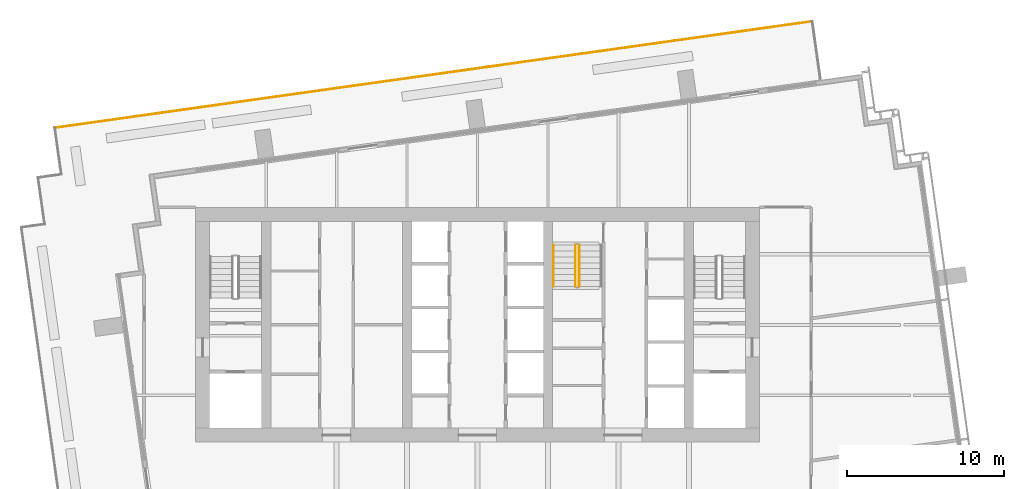
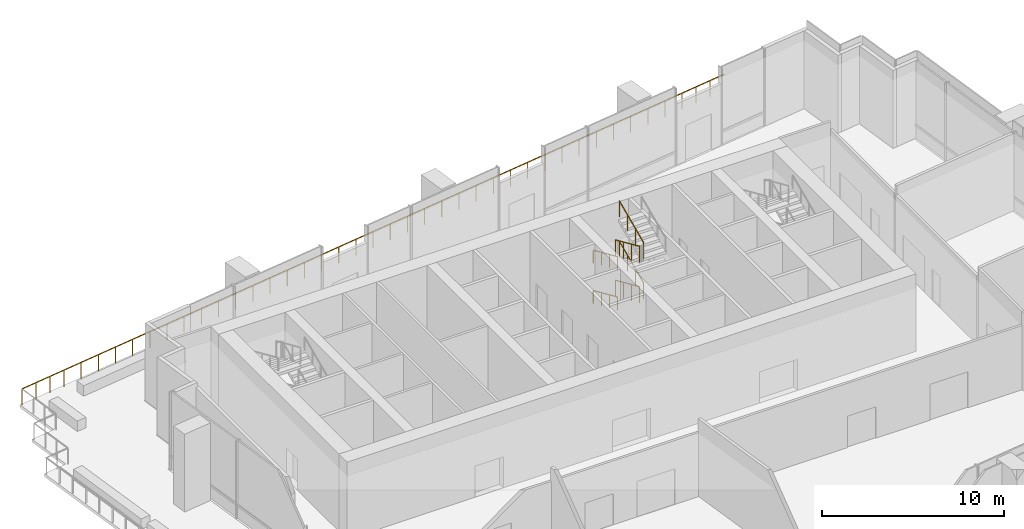
# One storey, part 15 of 18: 7 railings.
"""IFC4 building model written with IfcOpenShell, lengths in metres."""

import ifcopenshell
import ifcopenshell.guid

model = None  # the IFC model being written
_history = None  # IfcOwnerHistory: only IFC2X3 demands one
_inside = {}  # id of a spatial element -> (the spatial element, [elements in it])
_under = {}  # id of a project, library or spatial element -> (it, [spatial elements below it])
_declared = {}  # id of a project -> (the project, [libraries it declares])
_typed = {}  # id of a type object -> (the type object, [elements of that type])
_made_of = {}  # id of a material, layer set ... -> (it, [elements and type objects made of it])


def new_model(schema):
    """Start an empty IFC model of exactly this schema.

    Asked for "IFC4X3", IfcOpenShell would pick the latest addendum, in which some entities
    have other attributes; the version numbers below select the first issue.
    IFC2X3 requires an IfcOwnerHistory on every rooted entity: one is made here for all.
    """
    global model, _history
    if schema == "IFC4X3":
        model = ifcopenshell.file(schema_version=(4, 3, 0, 0))
    else:
        model = ifcopenshell.file(schema=schema)
    _inside.clear()
    _under.clear()
    _declared.clear()
    _typed.clear()
    _made_of.clear()
    _history = None
    if model.schema == "IFC2X3":
        org = make("IfcOrganization", Name="unknown")
        user = make(
            "IfcPersonAndOrganization",
            ThePerson=make("IfcPerson", FamilyName="unknown"),
            TheOrganization=org,
        )
        app = make(
            "IfcApplication",
            ApplicationDeveloper=org,
            Version="unknown",
            ApplicationFullName="unknown",
            ApplicationIdentifier="unknown",
        )
        _history = make(
            "IfcOwnerHistory",
            OwningUser=user,
            OwningApplication=app,
            ChangeAction="ADDED",
            CreationDate=0,
        )
    return model


def make(cls, **values):
    """One entity of the class cls with the attributes given. An attribute that is None is left unset."""
    return model.create_entity(
        cls, **{name: value for name, value in values.items() if value is not None}
    )


def rooted(cls, **values):
    """An entity with a GlobalId (a new one), such as an element, a storey or a relation."""
    return make(cls, GlobalId=ifcopenshell.guid.new(), OwnerHistory=_history, **values)


def si_unit(unit_type, name, prefix=None):
    """IfcSIUnit, for example si_unit("LENGTHUNIT", "METRE", prefix="MILLI")."""
    return make("IfcSIUnit", UnitType=unit_type, Prefix=prefix, Name=name)


def assignment(units):
    """IfcUnitAssignment: the units of a project."""
    return None if units is None else make("IfcUnitAssignment", Units=units)


def point(xyz):
    """IfcCartesianPoint."""
    return None if xyz is None else make("IfcCartesianPoint", Coordinates=xyz)


def direction(xyz):
    """IfcDirection."""
    return None if xyz is None else make("IfcDirection", DirectionRatios=xyz)


def frame(location, z_axis=None, x_axis=None):
    """IfcAxis2Placement3D, a coordinate frame: its origin and axes. An axis left out is left unset."""
    return make(
        "IfcAxis2Placement3D",
        Location=point(location),
        Axis=direction(z_axis),
        RefDirection=direction(x_axis),
    )


def frame_2d(location, x_axis=None):
    """IfcAxis2Placement2D, a coordinate frame in the plane: its origin and x axis."""
    return make(
        "IfcAxis2Placement2D", Location=point(location), RefDirection=direction(x_axis)
    )


def origin():
    """The frame at (0, 0, 0) with its axes left unset."""
    return frame((0.0, 0.0, 0.0))


def origin_2d():
    """The frame at (0, 0) in the plane with its x axis left unset."""
    return frame_2d((0.0, 0.0))


def place(relative_to, where):
    """IfcLocalPlacement: puts the frame where relative to a parent placement (None: the world)."""
    return make(
        "IfcLocalPlacement", PlacementRelTo=relative_to, RelativePlacement=where
    )


def context(
    kind, dimensions, precision=None, world=None, true_north=None, identifier=None
):
    """IfcGeometricRepresentationContext, for example the 3D "Model" context."""
    return make(
        "IfcGeometricRepresentationContext",
        ContextIdentifier=identifier,
        ContextType=kind,
        CoordinateSpaceDimension=dimensions,
        Precision=precision,
        WorldCoordinateSystem=world,
        TrueNorth=true_north,
    )


def subcontext(parent, identifier, kind, view, scale=None):
    """IfcGeometricRepresentationSubContext, for example "Body" below "Model"."""
    return make(
        "IfcGeometricRepresentationSubContext",
        ContextIdentifier=identifier,
        ContextType=kind,
        ParentContext=parent,
        TargetScale=scale,
        TargetView=view,
    )


def project(units=None, contexts=None):
    """IfcProject with its units and contexts."""
    return rooted(
        "IfcProject",
        Name="project",
        RepresentationContexts=contexts,
        UnitsInContext=assignment(units),
    )


def spatial(cls, under=None, at=None, **own):
    """A site, building, storey or space (cls), placed at a placement, below another one or the project."""
    s = rooted(cls, ObjectPlacement=at, **own)
    if under is not None:
        _under.setdefault(under.id(), (under, []))[1].append(s)
    return s


def profile(cls, at=None, kind="AREA", **sizes):
    """A parametric profile (cls). Its sizes go by their IFC names, for example OverallWidth=200.0."""
    return make(cls, ProfileType=kind, Position=at, **sizes)


def rectangle(**sizes):
    """IfcRectangleProfileDef."""
    return profile("IfcRectangleProfileDef", **sizes)


def extrude(swept, where, along, depth):
    """IfcExtrudedAreaSolid: the profile swept, set in the frame where, extruded along a direction by depth."""
    return make(
        "IfcExtrudedAreaSolid",
        SweptArea=swept,
        Position=where,
        ExtrudedDirection=direction(along),
        Depth=depth,
    )


def shape(context_of_items, identifier, shape_type, items):
    """IfcShapeRepresentation: the items that make up one representation, for example the "Body"."""
    return make(
        "IfcShapeRepresentation",
        ContextOfItems=context_of_items,
        RepresentationIdentifier=identifier,
        RepresentationType=shape_type,
        Items=items,
    )


def material(Name=None, Category=None):
    """IfcMaterial."""
    return make("IfcMaterial", Name=Name, Category=Category)


def made_of(thing, what):
    """Note that an element or type object is made of a material, layer set ...; save() writes the relation."""
    if what is not None:
        _made_of.setdefault(what.id(), (what, []))[1].append(thing)
    return thing


def type_object(cls, material=None, **own):
    """A type object (cls), such as IfcWallType, which elements share."""
    return made_of(rooted(cls, **own), material)


def element(
    cls,
    number,
    at=None,
    inside=None,
    cuts=None,
    type_object=None,
    material=None,
    context=None,
    identifier="Body",
    shape_type=None,
    held_by="IfcProductDefinitionShape",
    body=None,
    shapes=None,
    **own,
):
    """One element of the class cls, such as IfcWall. Its Tag is "e" and its number.

    at: its placement. inside: the storey or other place that contains it. cuts: it is an
    opening in that element (IfcRelVoidsElement). A single representation is given by context,
    identifier, shape_type and body (its items); several are given by shapes. held_by: the class
    of the entity that holds the representations. save() writes the other relations.
    """
    e = rooted(cls, Tag="e%d" % number, ObjectPlacement=at, **own)
    if body is not None:
        shapes = [shape(context, identifier, shape_type, body)]
    if shapes is not None:
        e.Representation = make(held_by, Representations=shapes)
    if inside is not None:
        _inside.setdefault(inside.id(), (inside, []))[1].append(e)
    if cuts is not None:
        rooted(
            "IfcRelVoidsElement", RelatingBuildingElement=cuts, RelatedOpeningElement=e
        )
    if type_object is not None:
        _typed.setdefault(type_object.id(), (type_object, []))[1].append(e)
    return made_of(e, material)


def aggregate(whole, parts):
    """IfcRelAggregates: a whole, such as a stair, and the parts it consists of."""
    return rooted("IfcRelAggregates", RelatingObject=whole, RelatedObjects=parts)


def save(model, path):
    """Write the relations noted so far, then the file.

    IfcRelAggregates (storeys below a building ...), IfcRelContainedInSpatialStructure (elements
    in a storey), IfcRelDefinesByType, IfcRelAssociatesMaterial and IfcRelDeclares: one each for
    every whole, place, type object, material and project.
    """
    for whole, parts in _under.values():
        aggregate(whole, parts)
    for where, things in _inside.values():
        rooted(
            "IfcRelContainedInSpatialStructure",
            RelatedElements=things,
            RelatingStructure=where,
        )
    for kind, things in _typed.values():
        rooted("IfcRelDefinesByType", RelatedObjects=things, RelatingType=kind)
    for what, things in _made_of.values():
        rooted("IfcRelAssociatesMaterial", RelatedObjects=things, RelatingMaterial=what)
    for by, libraries in _declared.values():
        rooted("IfcRelDeclares", RelatingContext=by, RelatedDefinitions=libraries)
    model.write(path)


model = new_model("IFC4")

# Units and contexts
model_context = context("Model", 3, precision=1e-05, world=origin(), true_north=direction((0.0, 1.0)))
body_context = subcontext(model_context, "Body", "Model", "MODEL_VIEW")
ifc_project = project(units=[si_unit("LENGTHUNIT", "METRE"), si_unit("AREAUNIT", "SQUARE_METRE"), si_unit("VOLUMEUNIT", "CUBIC_METRE"), si_unit("PLANEANGLEUNIT", "RADIAN"), si_unit("MASSUNIT", "GRAM", prefix="KILO")], contexts=[model_context])

# Site, building, storey
site_placement = place(None, origin())
site = spatial("IfcSite", under=ifc_project, at=site_placement, CompositionType="ELEMENT")
building_placement = place(site_placement, origin())
building = spatial("IfcBuilding", under=site, at=building_placement, Name="Rattan Terrace Tower", CompositionType="ELEMENT")
storey_placement = place(building_placement, frame((0.0, 0.0, 208.10009765625)))
storey = spatial("IfcBuildingStorey", under=building, at=storey_placement, Name="L47", CompositionType="ELEMENT", Elevation=208.10009765625)

# Railings
ifc_material_1 = material(Name="Powder-coated steel guard", Category="steel")
railing_type_1 = type_object("IfcRailingType", Name="Core stair guard", PredefinedType="GUARDRAIL", material=ifc_material_1)
railing_1_placement = place(storey_placement, frame((6.25, 5.10009765625, 0.168701171875)))
element("IfcRailing", 1, at=railing_1_placement, inside=storey, type_object=railing_type_1, Name="L47 S3 stair guard 1", PredefinedType="GUARDRAIL", context=body_context, shape_type="SweptSolid", body=[
    extrude(rectangle(XDim=0.048095703125, YDim=0.048095703125, at=origin_2d()), frame((0.0, 0.0, 1.076171875), z_axis=(0.0, -0.913956766905, 0.405811567391), x_axis=(1.0, 0.0, 0.0)), (0.0, 0.0, 1.0), 2.91064453125),
    extrude(rectangle(XDim=0.0419921875, YDim=0.0419921875, at=origin_2d()), origin(), (0.0, 0.0, 1.0), 1.052001953125),
    extrude(rectangle(XDim=0.0419921875, YDim=0.0419921875, at=origin_2d()), frame((0.0, -0.88671875, 0.393798828125)), (0.0, 0.0, 1.0), 1.052001953125),
    extrude(rectangle(XDim=0.0419921875, YDim=0.0419921875, at=origin_2d()), frame((0.0, -1.7734375, 0.787353515625)), (0.0, 0.0, 1.0), 1.052001953125),
    extrude(rectangle(XDim=0.0419921875, YDim=0.0419921875, at=origin_2d()), frame((0.0, -2.66015625, 1.18115234375)), (0.0, 0.0, 1.0), 1.052001953125),
])
railing_2_placement = place(storey_placement, frame((6.5, 2.43994140625, 1.5185546875)))
element("IfcRailing", 2, at=railing_2_placement, inside=storey, type_object=railing_type_1, Name="L47 S3 stair guard 3", PredefinedType="GUARDRAIL", context=body_context, shape_type="SweptSolid", body=[
    extrude(rectangle(XDim=0.048095703125, YDim=0.048095703125, at=origin_2d()), frame((0.0, 0.0, 1.076171875), z_axis=(0.0, 0.913925654661, 0.405881630223), x_axis=(-1.0, 0.0, 0.0)), (0.0, 0.0, 1.0), 2.91064453125),
    extrude(rectangle(XDim=0.0419921875, YDim=0.0419921875, at=origin_2d()), origin(), (0.0, 0.0, 1.0), 1.052001953125),
    extrude(rectangle(XDim=0.0419921875, YDim=0.0419921875, at=origin_2d()), frame((0.0, 0.88671875, 0.393798828125)), (0.0, 0.0, 1.0), 1.052001953125),
    extrude(rectangle(XDim=0.0419921875, YDim=0.0419921875, at=origin_2d()), frame((0.0, 1.7734375, 0.78759765625)), (0.0, 0.0, 1.0), 1.052001953125),
    extrude(rectangle(XDim=0.0419921875, YDim=0.0419921875, at=origin_2d()), frame((0.0, 2.66015625, 1.181396484375)), (0.0, 0.0, 1.0), 1.052001953125),
])
railing_3_placement = place(storey_placement, frame((6.25, 5.10009765625, 2.86865234375)))
element("IfcRailing", 3, at=railing_3_placement, inside=storey, type_object=railing_type_1, Name="L47 S3 stair guard 5", PredefinedType="GUARDRAIL", context=body_context, shape_type="SweptSolid", body=[
    extrude(rectangle(XDim=0.048095703125, YDim=0.048095703125, at=origin_2d()), frame((0.0, 0.0, 1.076171875), z_axis=(0.0, -0.913956766905, 0.405811567391), x_axis=(1.0, 0.0, 0.0)), (0.0, 0.0, 1.0), 2.91064453125),
    extrude(rectangle(XDim=0.0419921875, YDim=0.0419921875, at=origin_2d()), origin(), (0.0, 0.0, 1.0), 1.052001953125),
    extrude(rectangle(XDim=0.0419921875, YDim=0.0419921875, at=origin_2d()), frame((0.0, -0.88671875, 0.393798828125)), (0.0, 0.0, 1.0), 1.052001953125),
    extrude(rectangle(XDim=0.0419921875, YDim=0.0419921875, at=origin_2d()), frame((0.0, -1.7734375, 0.787353515625)), (0.0, 0.0, 1.0), 1.052001953125),
    extrude(rectangle(XDim=0.0419921875, YDim=0.0419921875, at=origin_2d()), frame((0.0, -2.66015625, 1.18115234375)), (0.0, 0.0, 1.0), 1.052001953125),
])
railing_4_placement = place(storey_placement, frame((6.5, 2.43994140625, 4.21875)))
element("IfcRailing", 4, at=railing_4_placement, inside=storey, type_object=railing_type_1, Name="L47 S3 stair guard 7", PredefinedType="GUARDRAIL", context=body_context, shape_type="SweptSolid", body=[
    extrude(rectangle(XDim=0.048095703125, YDim=0.048095703125, at=origin_2d()), frame((0.0, 0.0, 1.076171875), z_axis=(0.0, 0.913956766905, 0.405811567391), x_axis=(-1.0, 0.0, 0.0)), (0.0, 0.0, 1.0), 2.91064453125),
    extrude(rectangle(XDim=0.0419921875, YDim=0.0419921875, at=origin_2d()), origin(), (0.0, 0.0, 1.0), 1.052001953125),
    extrude(rectangle(XDim=0.0419921875, YDim=0.0419921875, at=origin_2d()), frame((0.0, 0.88671875, 0.393798828125)), (0.0, 0.0, 1.0), 1.052001953125),
    extrude(rectangle(XDim=0.0419921875, YDim=0.0419921875, at=origin_2d()), frame((0.0, 1.7734375, 0.787353515625)), (0.0, 0.0, 1.0), 1.052001953125),
    extrude(rectangle(XDim=0.0419921875, YDim=0.0419921875, at=origin_2d()), frame((0.0, 2.66015625, 1.18115234375)), (0.0, 0.0, 1.0), 1.052001953125),
])
ifc_material_2 = material(Name="Powder-coated steel handrail", Category="steel")
railing_type_2 = type_object("IfcRailingType", Name="Core stair handrail", PredefinedType="HANDRAIL", material=ifc_material_2)
for number, where, name in (
    (5, (4.85009765625, 5.10009765625, 0.168701171875), "L47 S3 stair handrail 1"),
    (6, (4.85009765625, 5.10009765625, 2.86865234375), "L47 S3 stair handrail 3"),
):
    element("IfcRailing", number, at=place(storey_placement, frame(where)), inside=storey, type_object=railing_type_2, Name=name, PredefinedType="HANDRAIL", context=body_context, shape_type="SweptSolid", body=[
        extrude(rectangle(XDim=0.048095703125, YDim=0.048095703125, at=origin_2d()), frame((0.0, 0.0, 0.8759765625), z_axis=(0.0, -0.913956766905, 0.405811567391), x_axis=(1.0, 0.0, 0.0)), (0.0, 0.0, 1.0), 2.91064453125),
        extrude(rectangle(XDim=0.0419921875, YDim=0.0419921875, at=origin_2d()), origin(), (0.0, 0.0, 1.0), 0.851806640625),
        extrude(rectangle(XDim=0.0419921875, YDim=0.0419921875, at=origin_2d()), frame((0.0, -0.88671875, 0.393798828125)), (0.0, 0.0, 1.0), 0.851806640625),
        extrude(rectangle(XDim=0.0419921875, YDim=0.0419921875, at=origin_2d()), frame((0.0, -1.7734375, 0.787353515625)), (0.0, 0.0, 1.0), 0.851806640625),
        extrude(rectangle(XDim=0.0419921875, YDim=0.0419921875, at=origin_2d()), frame((0.0, -2.66015625, 1.18115234375)), (0.0, 0.0, 1.0), 0.851806640625),
    ])
ifc_material_3 = material(Name="Stainless steel 316", Category="steel")
railing_type_3 = type_object("IfcRailingType", Name="Facade Guard 1100", PredefinedType="GUARDRAIL", material=ifc_material_3)
railing_5_placement = place(storey_placement, frame((-26.989990234375, 12.574951171875, 0.0)))
element("IfcRailing", 7, at=railing_5_placement, inside=storey, type_object=railing_type_3, Name="Terrace guard L47-1-12", PredefinedType="GUARDRAIL", context=body_context, shape_type="SweptSolid", body=[
    extrude(rectangle(XDim=0.048095703125, YDim=0.048095703125, at=origin_2d()), frame((0.0, 0.0, 1.076171875), z_axis=(0.990243245844, 0.139349610908, 0.0), x_axis=(-0.139349610908, 0.990243245844, 0.0)), (0.0, 0.0, 1.0), 2.920654296875),
    extrude(rectangle(XDim=0.048095703125, YDim=0.048095703125, at=origin_2d()), frame((2.89208984375, 0.406982421875, 1.076171875), z_axis=(0.99026918742, 0.139165140916, 0.0), x_axis=(-0.139165140916, 0.99026918742, 0.0)), (0.0, 0.0, 1.0), 43.000244140625),
    extrude(rectangle(XDim=0.048095703125, YDim=0.048095703125, at=origin_2d()), frame((45.473876953125, 6.39111328125, 1.076171875), z_axis=(0.990236749674, 0.139395766062, 0.0), x_axis=(-0.139395766062, 0.990236749674, 0.0)), (0.0, 0.0, 1.0), 2.919677734375),
    extrude(rectangle(XDim=0.0419921875, YDim=0.0419921875, at=origin_2d()), origin(), (0.0, 0.0, 1.0), 1.052001953125),
    extrude(rectangle(XDim=0.0419921875, YDim=0.0419921875, at=origin_2d()), frame((0.964111328125, 0.1357421875, 0.0)), (0.0, 0.0, 1.0), 1.052001953125),
    extrude(rectangle(XDim=0.0419921875, YDim=0.0419921875, at=origin_2d()), frame((1.927978515625, 0.271240234375, 0.0)), (0.0, 0.0, 1.0), 1.052001953125),
    extrude(rectangle(XDim=0.0419921875, YDim=0.0419921875, at=origin_2d()), frame((2.89208984375, 0.406982421875, 0.0)), (0.0, 0.0, 1.0), 1.052001953125),
    extrude(rectangle(XDim=0.0419921875, YDim=0.0419921875, at=origin_2d()), frame((4.074951171875, 0.5732421875, 0.0)), (0.0, 0.0, 1.0), 1.052001953125),
    extrude(rectangle(XDim=0.0419921875, YDim=0.0419921875, at=origin_2d()), frame((5.2578125, 0.739501953125, 0.0)), (0.0, 0.0, 1.0), 1.052001953125),
    extrude(rectangle(XDim=0.0419921875, YDim=0.0419921875, at=origin_2d()), frame((6.440673828125, 0.90576171875, 0.0)), (0.0, 0.0, 1.0), 1.052001953125),
    extrude(rectangle(XDim=0.0419921875, YDim=0.0419921875, at=origin_2d()), frame((7.623291015625, 1.07177734375, 0.0)), (0.0, 0.0, 1.0), 1.052001953125),
    extrude(rectangle(XDim=0.0419921875, YDim=0.0419921875, at=origin_2d()), frame((8.80615234375, 1.238037109375, 0.0)), (0.0, 0.0, 1.0), 1.052001953125),
    extrude(rectangle(XDim=0.0419921875, YDim=0.0419921875, at=origin_2d()), frame((9.989013671875, 1.404296875, 0.0)), (0.0, 0.0, 1.0), 1.052001953125),
    extrude(rectangle(XDim=0.0419921875, YDim=0.0419921875, at=origin_2d()), frame((11.171875, 1.570556640625, 0.0)), (0.0, 0.0, 1.0), 1.052001953125),
    extrude(rectangle(XDim=0.0419921875, YDim=0.0419921875, at=origin_2d()), frame((12.354736328125, 1.73681640625, 0.0)), (0.0, 0.0, 1.0), 1.052001953125),
    extrude(rectangle(XDim=0.0419921875, YDim=0.0419921875, at=origin_2d()), frame((13.53759765625, 1.903076171875, 0.0)), (0.0, 0.0, 1.0), 1.052001953125),
    extrude(rectangle(XDim=0.0419921875, YDim=0.0419921875, at=origin_2d()), frame((14.720458984375, 2.0693359375, 0.0)), (0.0, 0.0, 1.0), 1.052001953125),
    extrude(rectangle(XDim=0.0419921875, YDim=0.0419921875, at=origin_2d()), frame((15.903076171875, 2.2353515625, 0.0)), (0.0, 0.0, 1.0), 1.052001953125),
    extrude(rectangle(XDim=0.0419921875, YDim=0.0419921875, at=origin_2d()), frame((17.0859375, 2.401611328125, 0.0)), (0.0, 0.0, 1.0), 1.052001953125),
    extrude(rectangle(XDim=0.0419921875, YDim=0.0419921875, at=origin_2d()), frame((18.268798828125, 2.56787109375, 0.0)), (0.0, 0.0, 1.0), 1.052001953125),
    extrude(rectangle(XDim=0.0419921875, YDim=0.0419921875, at=origin_2d()), frame((19.45166015625, 2.734130859375, 0.0)), (0.0, 0.0, 1.0), 1.052001953125),
    extrude(rectangle(XDim=0.0419921875, YDim=0.0419921875, at=origin_2d()), frame((20.634521484375, 2.900390625, 0.0)), (0.0, 0.0, 1.0), 1.052001953125),
    extrude(rectangle(XDim=0.0419921875, YDim=0.0419921875, at=origin_2d()), frame((21.8173828125, 3.066650390625, 0.0)), (0.0, 0.0, 1.0), 1.052001953125),
    extrude(rectangle(XDim=0.0419921875, YDim=0.0419921875, at=origin_2d()), frame((23.000244140625, 3.23291015625, 0.0)), (0.0, 0.0, 1.0), 1.052001953125),
    extrude(rectangle(XDim=0.0419921875, YDim=0.0419921875, at=origin_2d()), frame((24.18310546875, 3.39892578125, 0.0)), (0.0, 0.0, 1.0), 1.052001953125),
    extrude(rectangle(XDim=0.0419921875, YDim=0.0419921875, at=origin_2d()), frame((25.36572265625, 3.565185546875, 0.0)), (0.0, 0.0, 1.0), 1.052001953125),
    extrude(rectangle(XDim=0.0419921875, YDim=0.0419921875, at=origin_2d()), frame((26.548583984375, 3.7314453125, 0.0)), (0.0, 0.0, 1.0), 1.052001953125),
    extrude(rectangle(XDim=0.0419921875, YDim=0.0419921875, at=origin_2d()), frame((27.7314453125, 3.897705078125, 0.0)), (0.0, 0.0, 1.0), 1.052001953125),
    extrude(rectangle(XDim=0.0419921875, YDim=0.0419921875, at=origin_2d()), frame((28.914306640625, 4.06396484375, 0.0)), (0.0, 0.0, 1.0), 1.052001953125),
    extrude(rectangle(XDim=0.0419921875, YDim=0.0419921875, at=origin_2d()), frame((30.09716796875, 4.230224609375, 0.0)), (0.0, 0.0, 1.0), 1.052001953125),
    extrude(rectangle(XDim=0.0419921875, YDim=0.0419921875, at=origin_2d()), frame((31.280029296875, 4.396484375, 0.0)), (0.0, 0.0, 1.0), 1.052001953125),
    extrude(rectangle(XDim=0.0419921875, YDim=0.0419921875, at=origin_2d()), frame((32.462890625, 4.562744140625, 0.0)), (0.0, 0.0, 1.0), 1.052001953125),
    extrude(rectangle(XDim=0.0419921875, YDim=0.0419921875, at=origin_2d()), frame((33.6455078125, 4.728759765625, 0.0)), (0.0, 0.0, 1.0), 1.052001953125),
    extrude(rectangle(XDim=0.0419921875, YDim=0.0419921875, at=origin_2d()), frame((34.828369140625, 4.89501953125, 0.0)), (0.0, 0.0, 1.0), 1.052001953125),
    extrude(rectangle(XDim=0.0419921875, YDim=0.0419921875, at=origin_2d()), frame((36.01123046875, 5.061279296875, 0.0)), (0.0, 0.0, 1.0), 1.052001953125),
    extrude(rectangle(XDim=0.0419921875, YDim=0.0419921875, at=origin_2d()), frame((37.194091796875, 5.2275390625, 0.0)), (0.0, 0.0, 1.0), 1.052001953125),
    extrude(rectangle(XDim=0.0419921875, YDim=0.0419921875, at=origin_2d()), frame((38.376953125, 5.393798828125, 0.0)), (0.0, 0.0, 1.0), 1.052001953125),
    extrude(rectangle(XDim=0.0419921875, YDim=0.0419921875, at=origin_2d()), frame((39.559814453125, 5.56005859375, 0.0)), (0.0, 0.0, 1.0), 1.052001953125),
    extrude(rectangle(XDim=0.0419921875, YDim=0.0419921875, at=origin_2d()), frame((40.74267578125, 5.726318359375, 0.0)), (0.0, 0.0, 1.0), 1.052001953125),
    extrude(rectangle(XDim=0.0419921875, YDim=0.0419921875, at=origin_2d()), frame((41.92529296875, 5.892333984375, 0.0)), (0.0, 0.0, 1.0), 1.052001953125),
    extrude(rectangle(XDim=0.0419921875, YDim=0.0419921875, at=origin_2d()), frame((43.108154296875, 6.05859375, 0.0)), (0.0, 0.0, 1.0), 1.052001953125),
    extrude(rectangle(XDim=0.0419921875, YDim=0.0419921875, at=origin_2d()), frame((44.291015625, 6.224853515625, 0.0)), (0.0, 0.0, 1.0), 1.052001953125),
    extrude(rectangle(XDim=0.0419921875, YDim=0.0419921875, at=origin_2d()), frame((45.473876953125, 6.39111328125, 0.0)), (0.0, 0.0, 1.0), 1.052001953125),
    extrude(rectangle(XDim=0.0419921875, YDim=0.0419921875, at=origin_2d()), frame((46.4375, 6.52685546875, 0.0)), (0.0, 0.0, 1.0), 1.052001953125),
    extrude(rectangle(XDim=0.0419921875, YDim=0.0419921875, at=origin_2d()), frame((47.4013671875, 6.662353515625, 0.0)), (0.0, 0.0, 1.0), 1.052001953125),
])

save(model, "model.ifc")
